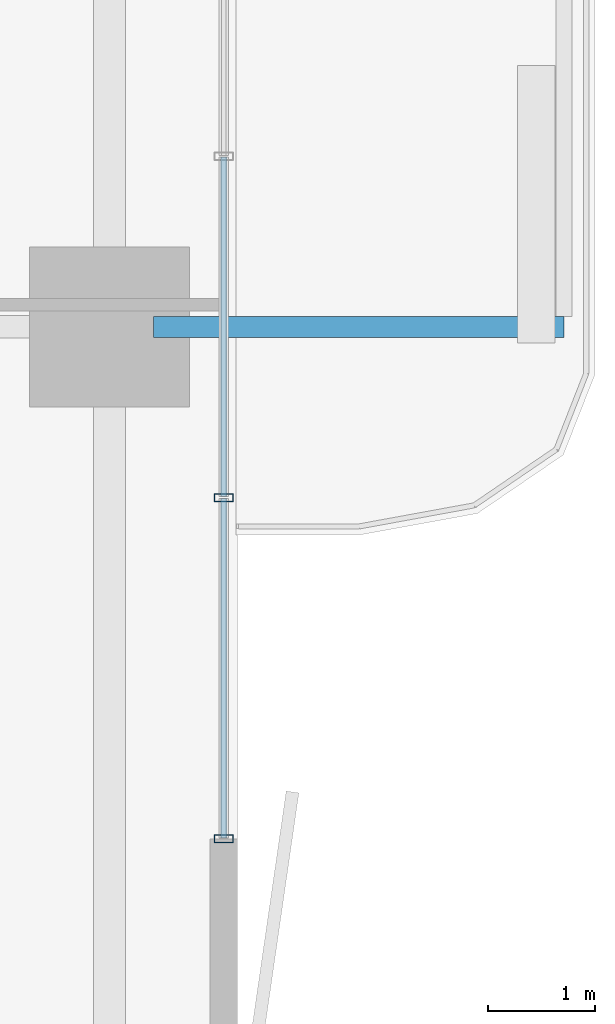
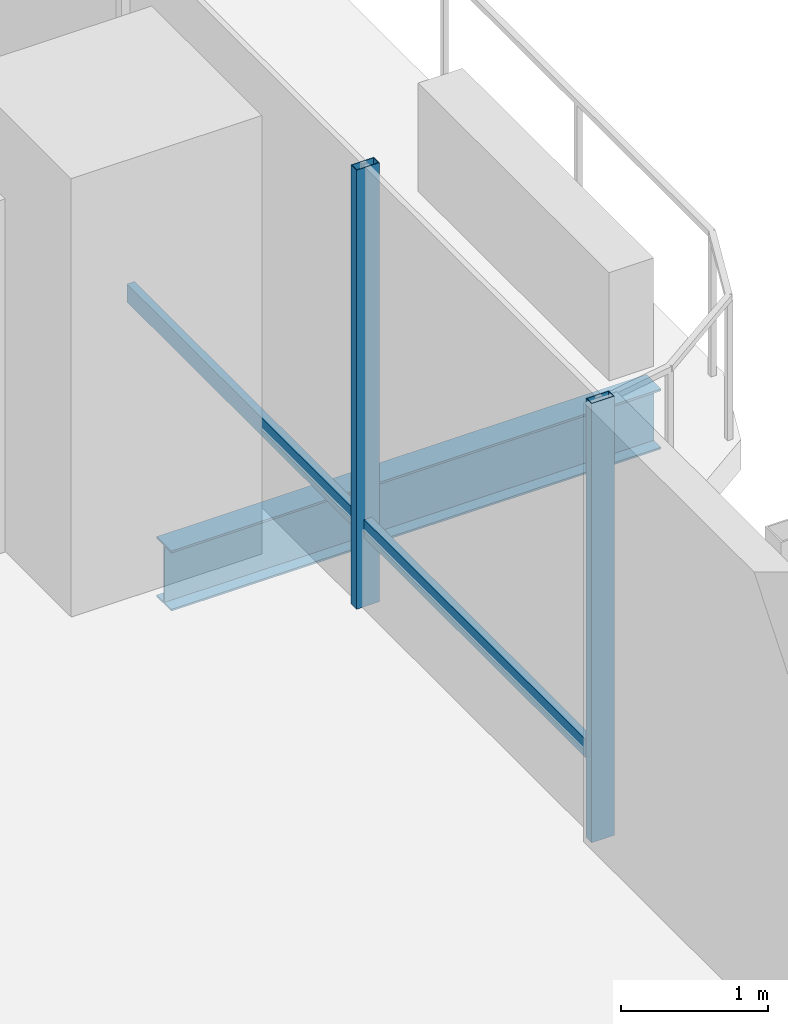
# One storey, part 8 of 23: 4 members, 1 beam, 1 element without a shape of its own.
"""IFC4 building model written with IfcOpenShell, lengths in metres."""

from ifc_helpers import new_model, si_unit, direction, frame, origin, origin_2d, place, context, subcontext, project, spatial, hollow_rectangle, i_section, extrude, material, layer, layer_set, material_profile, profile_set, type_object, element, aggregate, save


model = new_model("IFC4")

# Units and contexts
model_context = context("Model", 3, precision=1e-05, world=origin(), true_north=direction((0.0, 1.0)))
body_context = subcontext(model_context, "Body", "Model", "MODEL_VIEW")
ifc_project = project(units=[si_unit("LENGTHUNIT", "METRE"), si_unit("AREAUNIT", "SQUARE_METRE"), si_unit("VOLUMEUNIT", "CUBIC_METRE"), si_unit("PLANEANGLEUNIT", "RADIAN"), si_unit("MASSUNIT", "GRAM", prefix="KILO")], contexts=[model_context])

# Site, building, storey
site_placement = place(None, origin())
site = spatial("IfcSite", under=ifc_project, at=site_placement, CompositionType="ELEMENT")
building_placement = place(site_placement, origin())
building = spatial("IfcBuilding", under=site, at=building_placement, Name="Belovzor Exchange Tower", CompositionType="ELEMENT")
storey_placement = place(building_placement, frame((0.0, 0.0, 84.60009765625)))
storey = spatial("IfcBuildingStorey", under=building, at=storey_placement, Name="L20", CompositionType="ELEMENT", Elevation=84.60009765625)

# Beam
ifc_material_1 = material(Name="Steel S355", Category="steel")
ifc_material_profile_1 = material_profile(ifc_material_1, i_section(OverallWidth=0.199951171875, OverallDepth=0.5, WebThickness=0.01025390625, FlangeThickness=0.01611328125, at=origin_2d()))
ifc_profile_set_1 = profile_set([ifc_material_profile_1], Name="Steel S355")
beam_type = type_object("IfcBeamType", Name="Planted Balcony Cantilever Beam IPE 500", PredefinedType="BEAM", material=ifc_profile_set_1)
beam_placement = place(storey_placement, frame((55.9130859375, 28.800048828125, -0.5), z_axis=(1.0, 0.0, 0.0), x_axis=(0.0, 1.0, 0.0)))
element("IfcBeam", 1, at=beam_placement, inside=storey, type_object=beam_type, Name="BC-500 Planted Balcony Cantilever Beam IPE 500", PredefinedType="BEAM", context=body_context, shape_type="SweptSolid", body=[
    extrude(i_section(OverallWidth=0.199951171875, OverallDepth=0.5, WebThickness=0.01025390625, FlangeThickness=0.01611328125, at=origin_2d()), origin(), (0.0, 0.0, 1.0), 3.849853515625),
])

# Curtain wall, members
ifc_material_2 = material(Name="Anodised Aluminium Framing", Category="aluminium")
ifc_layer = layer(ifc_material_2, 0.179931640625)
ifc_layer_set = layer_set([ifc_layer], Name="Anodised Aluminium Framing")
curtain_wall_type = type_object("IfcCurtainWallType", Name="Recessed Loggia Low-Iron Triple-Glazed Curtain Wall", PredefinedType="NOTDEFINED", material=ifc_layer_set)
curtain_wall_placement = place(storey_placement, origin())
curtain_wall = element("IfcCurtainWall", 2, at=curtain_wall_placement, inside=storey, type_object=curtain_wall_type, Name="CW3 Recessed Loggia Low-Iron Triple-Glazed Curtain Wall L20", PredefinedType="NOTDEFINED")
ifc_material_3 = material(Name="Steel S355", Category="steel")
ifc_material_profile_2 = material_profile(ifc_material_3, hollow_rectangle(XDim=0.074951171875, YDim=0.179931640625, WallThickness=0.0048828125, at=origin_2d()))
ifc_profile_set_2 = profile_set([ifc_material_profile_2], Name="Steel S355")
member_type_1 = type_object("IfcMemberType", Name="Thermally Broken Curtain Wall Mullion 180x75", PredefinedType="MULLION", material=ifc_profile_set_2)
member_1_placement = place(storey_placement, frame((56.570068359375, 27.199951171875, 0.0), z_axis=(0.0, 0.0, 1.0), x_axis=(0.0, -1.0, 0.0)))
member_1 = element("IfcMember", 3, at=member_1_placement, type_object=member_type_1, Name="CW-M180 Curtain Wall Mullion 3", PredefinedType="MULLION", context=body_context, shape_type="SweptSolid", body=[
    extrude(hollow_rectangle(XDim=0.074951171875, YDim=0.179931640625, WallThickness=0.0048828125, at=origin_2d()), origin(), (0.0, 0.0, 1.0), 3.64990234375),
])
member_2_placement = place(storey_placement, frame((56.570068359375, 24.0, 0.0), z_axis=(0.0, 0.0, 1.0), x_axis=(0.0, -1.0, 0.0)))
member_2 = element("IfcMember", 4, at=member_2_placement, type_object=member_type_1, Name="CW-M180 Curtain Wall Mullion 4", PredefinedType="MULLION", context=body_context, shape_type="SweptSolid", body=[
    extrude(hollow_rectangle(XDim=0.074951171875, YDim=0.179931640625, WallThickness=0.0048828125, at=origin_2d()), origin(), (0.0, 0.0, 1.0), 3.64990234375),
])
ifc_material_4 = material(Name="Steel S355", Category="steel")
ifc_material_profile_3 = material_profile(ifc_material_4, hollow_rectangle(XDim=0.06005859375, YDim=0.14990234375, WallThickness=0.00390625, at=origin_2d()))
ifc_profile_set_3 = profile_set([ifc_material_profile_3], Name="Steel S355")
member_type_2 = type_object("IfcMemberType", Name="Thermally Broken Curtain Wall Transom 150x60", PredefinedType="USERDEFINED", material=ifc_profile_set_3)
member_3_placement = place(storey_placement, frame((56.570068359375, 30.39208984375, 0.64990234375), z_axis=(0.0, -1.0, 0.0), x_axis=(1.0, 0.0, 0.0)))
member_3 = element("IfcMember", 5, at=member_3_placement, type_object=member_type_2, Name="CW-T150 Curtain Wall Transom 2", ObjectType="TRANSOM", PredefinedType="USERDEFINED", context=body_context, shape_type="SweptSolid", body=[
    extrude(hollow_rectangle(XDim=0.06005859375, YDim=0.14990234375, WallThickness=0.00390625, at=origin_2d()), origin(), (0.0, 0.0, 1.0), 3.18408203125),
])
member_4_placement = place(storey_placement, frame((56.570068359375, 27.19189453125, 0.64990234375), z_axis=(0.0, -1.0, 0.0), x_axis=(1.0, 0.0, 0.0)))
member_4 = element("IfcMember", 6, at=member_4_placement, type_object=member_type_2, Name="CW-T150 Curtain Wall Transom 3", ObjectType="TRANSOM", PredefinedType="USERDEFINED", context=body_context, shape_type="SweptSolid", body=[
    extrude(hollow_rectangle(XDim=0.06005859375, YDim=0.14990234375, WallThickness=0.00390625, at=origin_2d()), origin(), (0.0, 0.0, 1.0), 3.183837890625),
])
aggregate(curtain_wall, [member_1, member_2, member_3, member_4])

save(model, "model.ifc")
